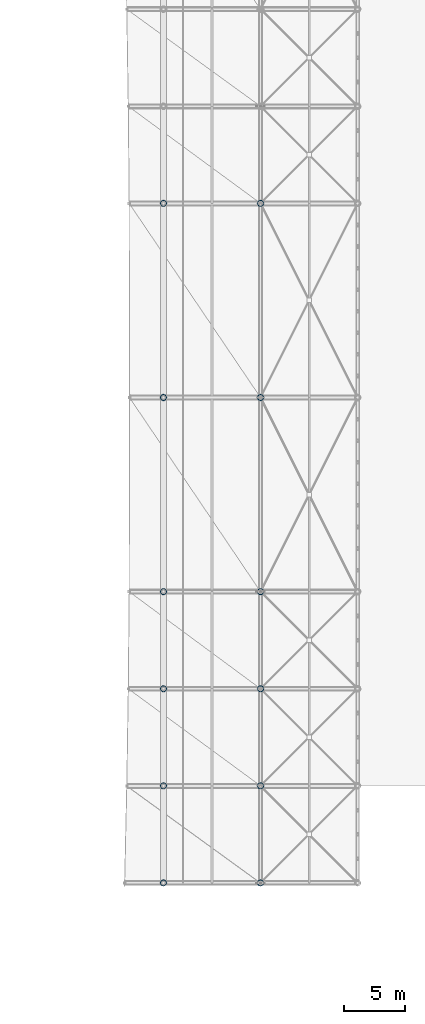
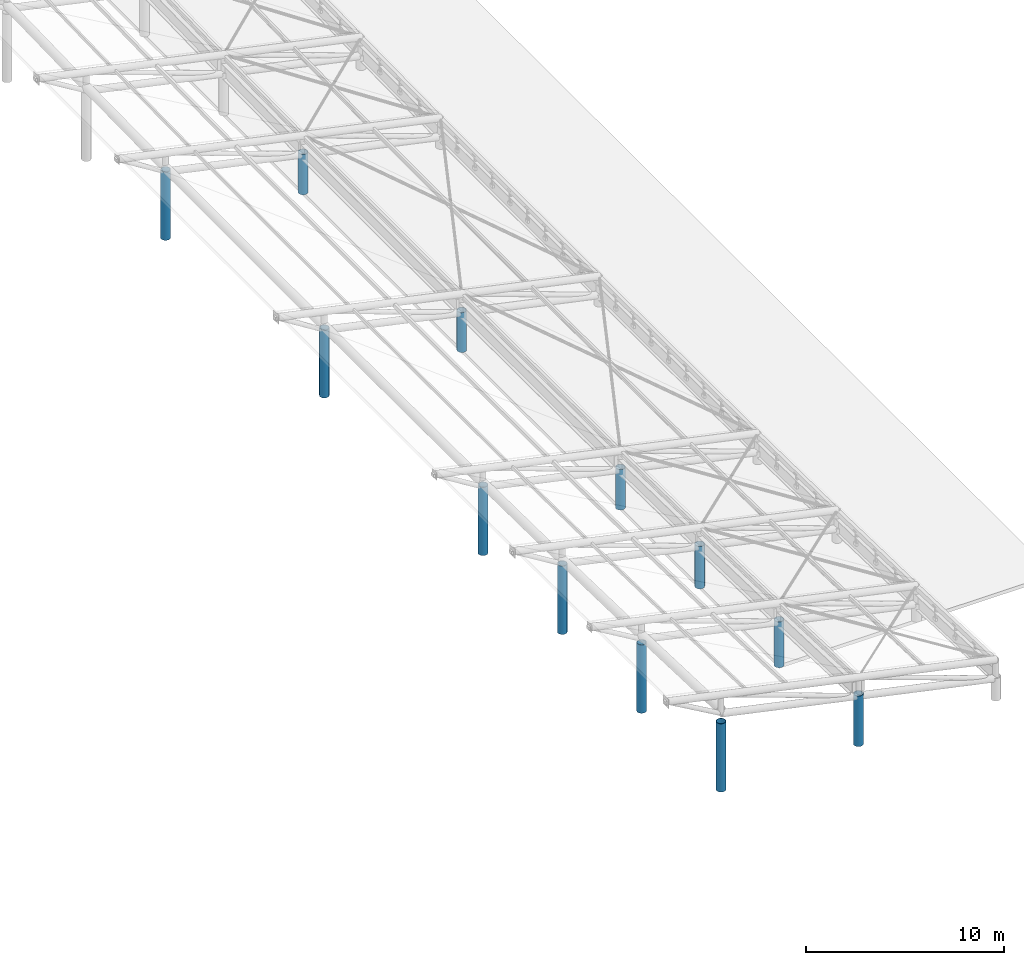
# One storey, part 5 of 41: 12 columns.
"""IFC4 building model written with IfcOpenShell, lengths in metres."""

from ifc_helpers import new_model, si_unit, direction, frame, origin, origin_2d, place, context, subcontext, project, spatial, hollow_circle, extrude, material, material_profile, profile_set, type_object, element, save


model = new_model("IFC4")

# Units and contexts
model_context = context("Model", 3, precision=1e-05, world=origin(), true_north=direction((0.0, 1.0)))
body_context = subcontext(model_context, "Body", "Model", "MODEL_VIEW")
ifc_project = project(units=[si_unit("LENGTHUNIT", "METRE"), si_unit("AREAUNIT", "SQUARE_METRE"), si_unit("VOLUMEUNIT", "CUBIC_METRE"), si_unit("PLANEANGLEUNIT", "RADIAN"), si_unit("MASSUNIT", "GRAM", prefix="KILO")], contexts=[model_context])

# Site, building, storey
site_placement = place(None, origin())
site = spatial("IfcSite", under=ifc_project, at=site_placement, CompositionType="ELEMENT")
building_placement = place(site_placement, origin())
building = spatial("IfcBuilding", under=site, at=building_placement, Name="Haebicheon Civic Stadium", CompositionType="ELEMENT")
storey_placement = place(building_placement, frame((0.0, 0.0, 27.0)))
storey = spatial("IfcBuildingStorey", under=building, at=storey_placement, Name="L07", CompositionType="ELEMENT", Elevation=27.0)

# Columns
ifc_material = material(Name="White painted steel SM490", Category="steel")
ifc_material_profile = material_profile(ifc_material, hollow_circle(Radius=0.25390625, WallThickness=0.02490234375, at=origin_2d()), Name="CHS-508.0x25.0")
ifc_profile_set = profile_set([ifc_material_profile], Name="White painted steel SM490")
column_type = type_object("IfcColumnType", Name="COL-ST-CHS508", PredefinedType="COLUMN", material=ifc_profile_set)
column_1_placement = place(storey_placement, frame((144.0, 48.0, 0.0), z_axis=(0.0, 0.0, 1.0), x_axis=(1.0, 0.0, 0.0)))
element("IfcColumn", 1, at=column_1_placement, inside=storey, type_object=column_type, material=ifc_profile_set, Name="Bowl/canopy support column 144/48 (L07)", PredefinedType="COLUMN", context=body_context, shape_type="SweptSolid", body=[
    extrude(hollow_circle(Radius=0.25390625, WallThickness=0.02490234375, at=origin_2d()), origin(), (0.0, 0.0, 1.0), 3.10693359375),
])
column_2_placement = place(storey_placement, frame((136.0, 48.0, 0.0), z_axis=(0.0, 0.0, 1.0), x_axis=(1.0, 0.0, 0.0)))
element("IfcColumn", 2, at=column_2_placement, inside=storey, type_object=column_type, material=ifc_profile_set, Name="Bowl/canopy support column 136/48 (L07)", PredefinedType="COLUMN", context=body_context, shape_type="SweptSolid", body=[
    extrude(hollow_circle(Radius=0.25390625, WallThickness=0.02490234375, at=origin_2d()), origin(), (0.0, 0.0, 1.0), 4.199951171875),
])
column_3_placement = place(storey_placement, frame((144.0, 56.0, 0.0), z_axis=(0.0, 0.0, 1.0), x_axis=(1.0, 0.0, 0.0)))
element("IfcColumn", 3, at=column_3_placement, inside=storey, type_object=column_type, material=ifc_profile_set, Name="Bowl/canopy support column 144/56 (L07)", PredefinedType="COLUMN", context=body_context, shape_type="SweptSolid", body=[
    extrude(hollow_circle(Radius=0.25390625, WallThickness=0.02490234375, at=origin_2d()), origin(), (0.0, 0.0, 1.0), 2.818115234375),
])
column_4_placement = place(storey_placement, frame((136.0, 56.0, 0.0), z_axis=(0.0, 0.0, 1.0), x_axis=(1.0, 0.0, 0.0)))
element("IfcColumn", 4, at=column_4_placement, inside=storey, type_object=column_type, material=ifc_profile_set, Name="Bowl/canopy support column 136/56 (L07)", PredefinedType="COLUMN", context=body_context, shape_type="SweptSolid", body=[
    extrude(hollow_circle(Radius=0.25390625, WallThickness=0.02490234375, at=origin_2d()), origin(), (0.0, 0.0, 1.0), 4.199951171875),
])
column_5_placement = place(storey_placement, frame((144.0, 64.0, 0.0), z_axis=(0.0, 0.0, 1.0), x_axis=(1.0, 0.0, 0.0)))
element("IfcColumn", 5, at=column_5_placement, inside=storey, type_object=column_type, material=ifc_profile_set, Name="Bowl/canopy support column 144/64 (L07)", PredefinedType="COLUMN", context=body_context, shape_type="SweptSolid", body=[
    extrude(hollow_circle(Radius=0.25390625, WallThickness=0.02490234375, at=origin_2d()), origin(), (0.0, 0.0, 1.0), 2.612060546875),
])
column_6_placement = place(storey_placement, frame((136.0, 64.0, 0.0), z_axis=(0.0, 0.0, 1.0), x_axis=(1.0, 0.0, 0.0)))
element("IfcColumn", 6, at=column_6_placement, inside=storey, type_object=column_type, material=ifc_profile_set, Name="Bowl/canopy support column 136/64 (L07)", PredefinedType="COLUMN", context=body_context, shape_type="SweptSolid", body=[
    extrude(hollow_circle(Radius=0.25390625, WallThickness=0.02490234375, at=origin_2d()), origin(), (0.0, 0.0, 1.0), 4.199951171875),
])
column_7_placement = place(storey_placement, frame((144.0, 72.0, 0.0), z_axis=(0.0, 0.0, 1.0), x_axis=(1.0, 0.0, 0.0)))
element("IfcColumn", 7, at=column_7_placement, inside=storey, type_object=column_type, material=ifc_profile_set, Name="Bowl/canopy support column 144/72 (L07)", PredefinedType="COLUMN", context=body_context, shape_type="SweptSolid", body=[
    extrude(hollow_circle(Radius=0.25390625, WallThickness=0.02490234375, at=origin_2d()), origin(), (0.0, 0.0, 1.0), 2.488037109375),
])
column_8_placement = place(storey_placement, frame((136.0, 72.0, 0.0), z_axis=(0.0, 0.0, 1.0), x_axis=(1.0, 0.0, 0.0)))
element("IfcColumn", 8, at=column_8_placement, inside=storey, type_object=column_type, material=ifc_profile_set, Name="Bowl/canopy support column 136/72 (L07)", PredefinedType="COLUMN", context=body_context, shape_type="SweptSolid", body=[
    extrude(hollow_circle(Radius=0.25390625, WallThickness=0.02490234375, at=origin_2d()), origin(), (0.0, 0.0, 1.0), 4.199951171875),
])
column_9_placement = place(storey_placement, frame((144.0, 88.0, 0.0), z_axis=(0.0, 0.0, 1.0), x_axis=(1.0, 0.0, 0.0)))
element("IfcColumn", 9, at=column_9_placement, inside=storey, type_object=column_type, material=ifc_profile_set, Name="Bowl/canopy support column 144/88 (L07)", PredefinedType="COLUMN", context=body_context, shape_type="SweptSolid", body=[
    extrude(hollow_circle(Radius=0.25390625, WallThickness=0.02490234375, at=origin_2d()), origin(), (0.0, 0.0, 1.0), 2.447021484375),
])
column_10_placement = place(storey_placement, frame((136.0, 88.0, 0.0), z_axis=(0.0, 0.0, 1.0), x_axis=(1.0, 0.0, 0.0)))
element("IfcColumn", 10, at=column_10_placement, inside=storey, type_object=column_type, material=ifc_profile_set, Name="Bowl/canopy support column 136/88 (L07)", PredefinedType="COLUMN", context=body_context, shape_type="SweptSolid", body=[
    extrude(hollow_circle(Radius=0.25390625, WallThickness=0.02490234375, at=origin_2d()), origin(), (0.0, 0.0, 1.0), 4.1669921875),
])
column_11_placement = place(storey_placement, frame((144.0, 104.0, 0.0), z_axis=(0.0, 0.0, 1.0), x_axis=(1.0, 0.0, 0.0)))
element("IfcColumn", 11, at=column_11_placement, inside=storey, type_object=column_type, material=ifc_profile_set, Name="Bowl/canopy support column 144/104 (L07)", PredefinedType="COLUMN", context=body_context, shape_type="SweptSolid", body=[
    extrude(hollow_circle(Radius=0.25390625, WallThickness=0.02490234375, at=origin_2d()), origin(), (0.0, 0.0, 1.0), 2.488037109375),
])
column_12_placement = place(storey_placement, frame((136.0, 104.0, 0.0), z_axis=(0.0, 0.0, 1.0), x_axis=(1.0, 0.0, 0.0)))
element("IfcColumn", 12, at=column_12_placement, inside=storey, type_object=column_type, material=ifc_profile_set, Name="Bowl/canopy support column 136/104 (L07)", PredefinedType="COLUMN", context=body_context, shape_type="SweptSolid", body=[
    extrude(hollow_circle(Radius=0.25390625, WallThickness=0.02490234375, at=origin_2d()), origin(), (0.0, 0.0, 1.0), 4.199951171875),
])

save(model, "model.ifc")
